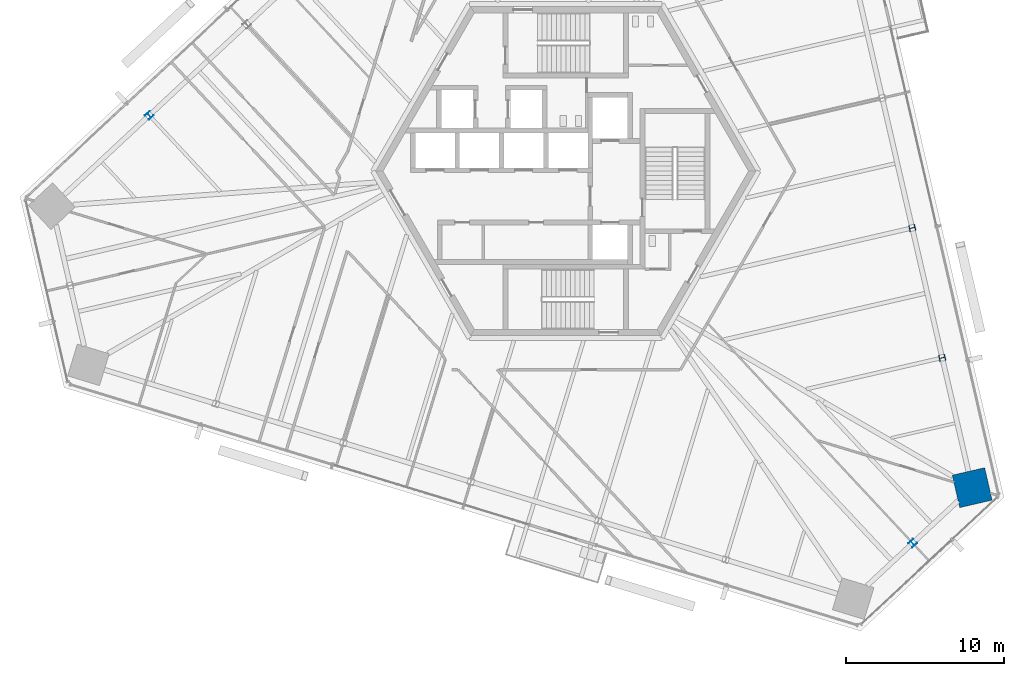
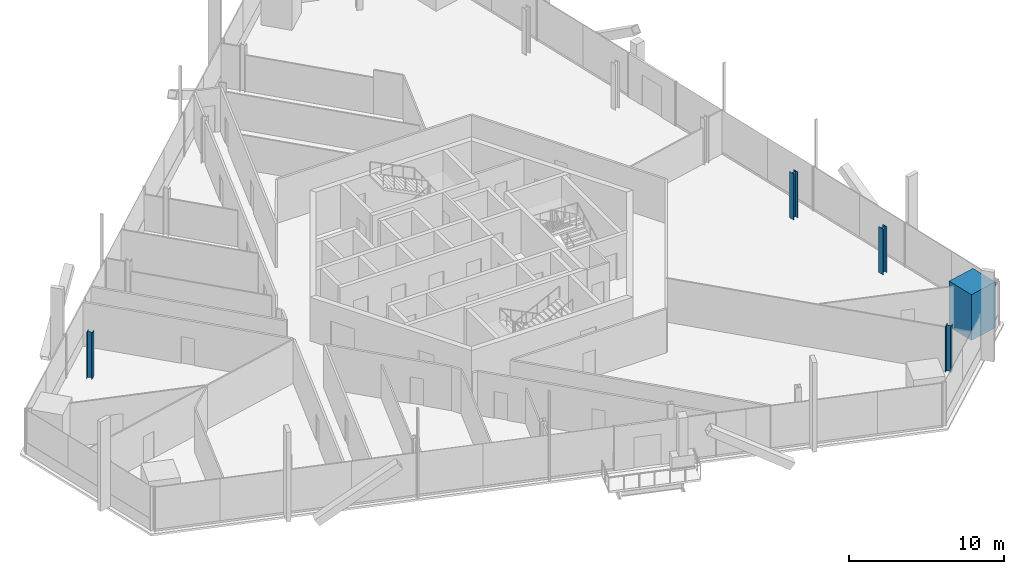
# One storey, part 2 of 23: 5 columns.
"""IFC4 building model written with IfcOpenShell, lengths in metres."""

from ifc_helpers import new_model, si_unit, direction, frame, origin, origin_2d, place, context, subcontext, project, spatial, rectangle, i_section, extrude, source, transform, mapped, material, material_profile, profile_set, type_object, element, save


model = new_model("IFC4")

# Units and contexts
model_context = context("Model", 3, precision=1e-05, world=origin(), true_north=direction((0.0, 1.0)))
body_context = subcontext(model_context, "Body", "Model", "MODEL_VIEW")
ifc_project = project(units=[si_unit("LENGTHUNIT", "METRE"), si_unit("AREAUNIT", "SQUARE_METRE"), si_unit("VOLUMEUNIT", "CUBIC_METRE"), si_unit("PLANEANGLEUNIT", "RADIAN"), si_unit("MASSUNIT", "GRAM", prefix="KILO")], contexts=[model_context])

# Site, building, storey
site_placement = place(None, origin())
site = spatial("IfcSite", under=ifc_project, at=site_placement, CompositionType="ELEMENT")
building_placement = place(site_placement, origin())
building = spatial("IfcBuilding", under=site, at=building_placement, Name="Triune Harvest Tower", CompositionType="ELEMENT")
storey_placement = place(building_placement, frame((0.0, 0.0, 105.5)))
storey = spatial("IfcBuildingStorey", under=building, at=storey_placement, Name="L26", CompositionType="ELEMENT", Elevation=105.5)

# Columns
ifc_material_1 = material(Name="Concrete 70 MPa", Category="concrete")
ifc_material_profile_1 = material_profile(ifc_material_1, rectangle(XDim=2.10009765625, YDim=2.10009765625, at=origin_2d()), Name="Composite 2100x2100")
ifc_profile_set_1 = profile_set([ifc_material_profile_1], Name="Concrete 70 MPa")
column_type_1 = type_object("IfcColumnType", Name="MC-3 Mega column Composite 2100x2100", PredefinedType="COLUMN", material=ifc_profile_set_1)
shared_shape_1 = source(origin(), body_context, "Body", "SweptSolid", [
    extrude(rectangle(XDim=2.10009765625, YDim=2.10009765625, at=origin_2d()), origin(), (0.0, 0.0, 1.0), 3.60009765625),
])
column_placement = place(storey_placement, frame((25.65869140625, -19.983642578125, 0.0), z_axis=(0.0, 0.0, 1.0), x_axis=(-0.22495275494, 0.97436967217, 0.0)))
element("IfcColumn", 1, at=column_placement, inside=storey, type_object=column_type_1, Name="col/L26/M0", PredefinedType="COLUMN", context=body_context, shape_type="MappedRepresentation", body=[
    mapped(shared_shape_1, transform((0.0, 0.0, 0.0), scale=1.0)),
])
ifc_material_2 = material(Name="Steel ASTM A992 Gr 50", Category="steel")
ifc_material_profile_2 = material_profile(ifc_material_2, i_section(OverallWidth=0.396240234375, OverallDepth=0.381103515625, WebThickness=0.01904296875, FlangeThickness=0.0302734375, at=origin_2d()), Name="W14x159")
ifc_profile_set_2 = profile_set([ifc_material_profile_2], Name="Steel ASTM A992 Gr 50")
column_type_2 = type_object("IfcColumnType", Name="PC-3 Perimeter column W14x159", PredefinedType="COLUMN", material=ifc_profile_set_2)
shared_shape_2 = source(origin(), body_context, "Body", "SweptSolid", [
    extrude(i_section(OverallWidth=0.396240234375, OverallDepth=0.381103515625, WebThickness=0.01904296875, FlangeThickness=0.0302734375, at=origin_2d()), origin(), (0.0, 0.0, 1.0), 3.60009765625),
])
for number, where, z_axis, x_axis, name in (
    (2, (23.765869140625, -11.784912109375, 0.0), (0.0, 0.0, 1.0), (-0.22495275494, 0.97436967217, 0.0), "col/L26/P1"),
    (3, (21.872802734375, -3.5859375, 0.0), (0.0, 0.0, 1.0), (-0.22495275494, 0.97436967217, 0.0), "col/L26/P2"),
    (4, (-26.29248046875, 3.51953125, 0.0), (0.0, 0.0, 1.0), (-0.73135489193, -0.681997083608, 0.0), "col/L26/P13"),
    (5, (21.90185546875, -23.48681640625, 0.0), (0.0, 0.0, 1.0), (0.731353701619, 0.681998360062, 0.0), "col/L26/P23"),
):
    element("IfcColumn", number, at=place(storey_placement, frame(where, z_axis=z_axis, x_axis=x_axis)), inside=storey, type_object=column_type_2, Name=name, PredefinedType="COLUMN", context=body_context, shape_type="MappedRepresentation", body=[
        mapped(shared_shape_2, transform((0.0, 0.0, 0.0), scale=1.0)),
    ])

save(model, "model.ifc")
